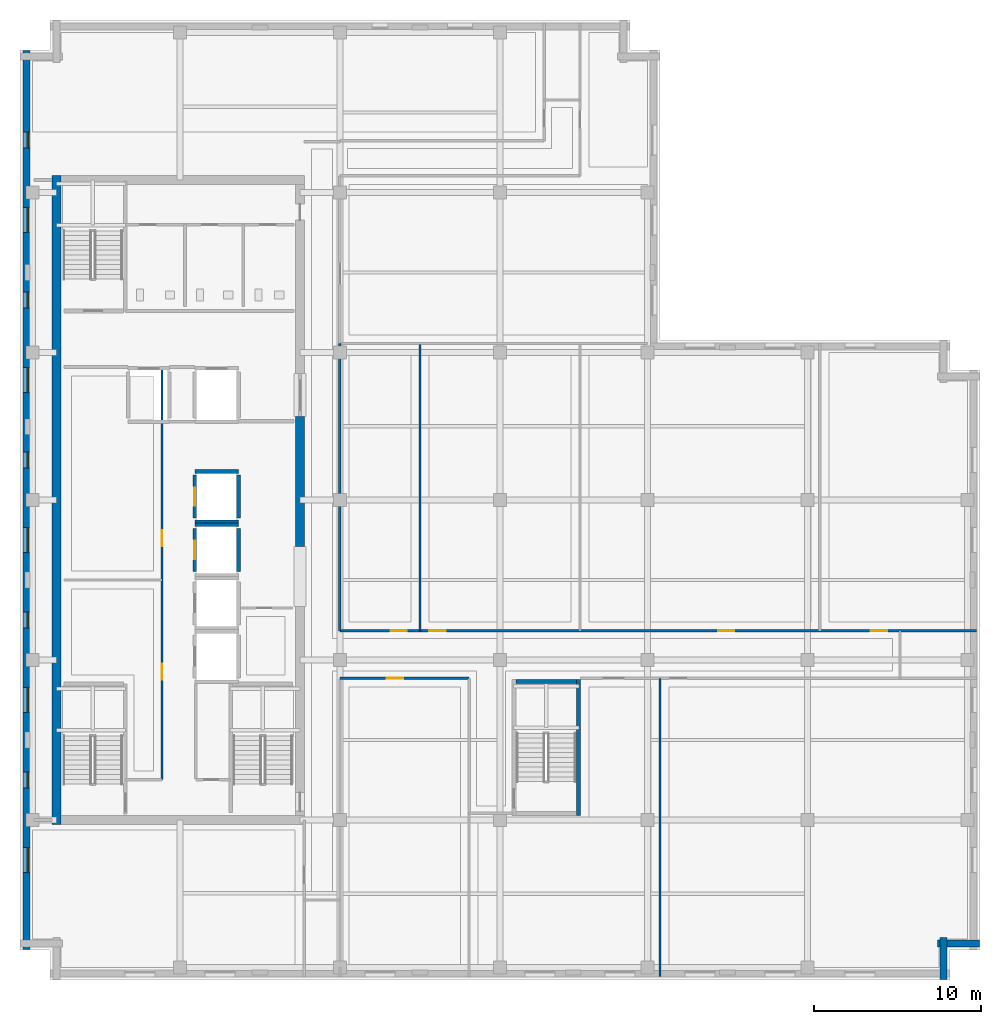
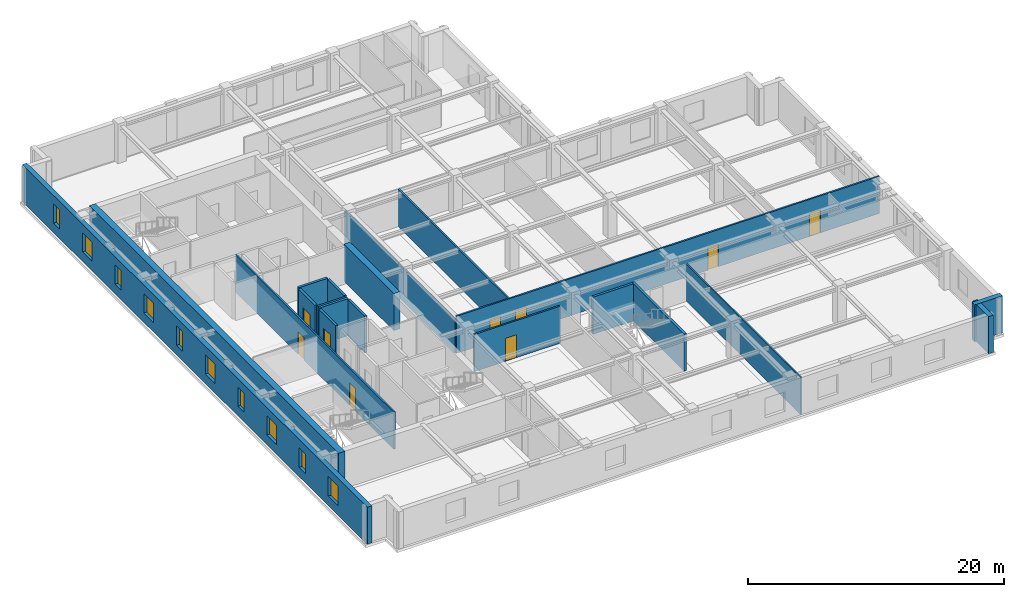
# One storey, part 4 of 10: 20 walls, 10 windows, 9 doors, 19 openings.
"""IFC4 building model written with IfcOpenShell, lengths in metres."""

import ifcopenshell
import ifcopenshell.guid

model = None  # the IFC model being written
_history = None  # IfcOwnerHistory: only IFC2X3 demands one
_inside = {}  # id of a spatial element -> (the spatial element, [elements in it])
_under = {}  # id of a project, library or spatial element -> (it, [spatial elements below it])
_declared = {}  # id of a project -> (the project, [libraries it declares])
_typed = {}  # id of a type object -> (the type object, [elements of that type])
_made_of = {}  # id of a material, layer set ... -> (it, [elements and type objects made of it])


def new_model(schema):
    """Start an empty IFC model of exactly this schema.

    Asked for "IFC4X3", IfcOpenShell would pick the latest addendum, in which some entities
    have other attributes; the version numbers below select the first issue.
    IFC2X3 requires an IfcOwnerHistory on every rooted entity: one is made here for all.
    """
    global model, _history
    if schema == "IFC4X3":
        model = ifcopenshell.file(schema_version=(4, 3, 0, 0))
    else:
        model = ifcopenshell.file(schema=schema)
    _inside.clear()
    _under.clear()
    _declared.clear()
    _typed.clear()
    _made_of.clear()
    _history = None
    if model.schema == "IFC2X3":
        org = make("IfcOrganization", Name="unknown")
        user = make(
            "IfcPersonAndOrganization",
            ThePerson=make("IfcPerson", FamilyName="unknown"),
            TheOrganization=org,
        )
        app = make(
            "IfcApplication",
            ApplicationDeveloper=org,
            Version="unknown",
            ApplicationFullName="unknown",
            ApplicationIdentifier="unknown",
        )
        _history = make(
            "IfcOwnerHistory",
            OwningUser=user,
            OwningApplication=app,
            ChangeAction="ADDED",
            CreationDate=0,
        )
    return model


def make(cls, **values):
    """One entity of the class cls with the attributes given. An attribute that is None is left unset."""
    return model.create_entity(
        cls, **{name: value for name, value in values.items() if value is not None}
    )


def rooted(cls, **values):
    """An entity with a GlobalId (a new one), such as an element, a storey or a relation."""
    return make(cls, GlobalId=ifcopenshell.guid.new(), OwnerHistory=_history, **values)


def si_unit(unit_type, name, prefix=None):
    """IfcSIUnit, for example si_unit("LENGTHUNIT", "METRE", prefix="MILLI")."""
    return make("IfcSIUnit", UnitType=unit_type, Prefix=prefix, Name=name)


def assignment(units):
    """IfcUnitAssignment: the units of a project."""
    return None if units is None else make("IfcUnitAssignment", Units=units)


def point(xyz):
    """IfcCartesianPoint."""
    return None if xyz is None else make("IfcCartesianPoint", Coordinates=xyz)


def direction(xyz):
    """IfcDirection."""
    return None if xyz is None else make("IfcDirection", DirectionRatios=xyz)


def frame(location, z_axis=None, x_axis=None):
    """IfcAxis2Placement3D, a coordinate frame: its origin and axes. An axis left out is left unset."""
    return make(
        "IfcAxis2Placement3D",
        Location=point(location),
        Axis=direction(z_axis),
        RefDirection=direction(x_axis),
    )


def frame_2d(location, x_axis=None):
    """IfcAxis2Placement2D, a coordinate frame in the plane: its origin and x axis."""
    return make(
        "IfcAxis2Placement2D", Location=point(location), RefDirection=direction(x_axis)
    )


def origin():
    """The frame at (0, 0, 0) with its axes left unset."""
    return frame((0.0, 0.0, 0.0))


def place(relative_to, where):
    """IfcLocalPlacement: puts the frame where relative to a parent placement (None: the world)."""
    return make(
        "IfcLocalPlacement", PlacementRelTo=relative_to, RelativePlacement=where
    )


def context(
    kind, dimensions, precision=None, world=None, true_north=None, identifier=None
):
    """IfcGeometricRepresentationContext, for example the 3D "Model" context."""
    return make(
        "IfcGeometricRepresentationContext",
        ContextIdentifier=identifier,
        ContextType=kind,
        CoordinateSpaceDimension=dimensions,
        Precision=precision,
        WorldCoordinateSystem=world,
        TrueNorth=true_north,
    )


def subcontext(parent, identifier, kind, view, scale=None):
    """IfcGeometricRepresentationSubContext, for example "Body" below "Model"."""
    return make(
        "IfcGeometricRepresentationSubContext",
        ContextIdentifier=identifier,
        ContextType=kind,
        ParentContext=parent,
        TargetScale=scale,
        TargetView=view,
    )


def project(units=None, contexts=None):
    """IfcProject with its units and contexts."""
    return rooted(
        "IfcProject",
        Name="project",
        RepresentationContexts=contexts,
        UnitsInContext=assignment(units),
    )


def spatial(cls, under=None, at=None, **own):
    """A site, building, storey or space (cls), placed at a placement, below another one or the project."""
    s = rooted(cls, ObjectPlacement=at, **own)
    if under is not None:
        _under.setdefault(under.id(), (under, []))[1].append(s)
    return s


def profile(cls, at=None, kind="AREA", **sizes):
    """A parametric profile (cls). Its sizes go by their IFC names, for example OverallWidth=200.0."""
    return make(cls, ProfileType=kind, Position=at, **sizes)


def rectangle(**sizes):
    """IfcRectangleProfileDef."""
    return profile("IfcRectangleProfileDef", **sizes)


def extrude(swept, where, along, depth):
    """IfcExtrudedAreaSolid: the profile swept, set in the frame where, extruded along a direction by depth."""
    return make(
        "IfcExtrudedAreaSolid",
        SweptArea=swept,
        Position=where,
        ExtrudedDirection=direction(along),
        Depth=depth,
    )


def shape(context_of_items, identifier, shape_type, items):
    """IfcShapeRepresentation: the items that make up one representation, for example the "Body"."""
    return make(
        "IfcShapeRepresentation",
        ContextOfItems=context_of_items,
        RepresentationIdentifier=identifier,
        RepresentationType=shape_type,
        Items=items,
    )


def material(Name=None, Category=None):
    """IfcMaterial."""
    return make("IfcMaterial", Name=Name, Category=Category)


def layer(
    of_material, thickness, ventilated=None, Name=None, Category=None, Priority=None
):
    """IfcMaterialLayer: one layer of a wall or slab, of a material (None: an air gap)."""
    return make(
        "IfcMaterialLayer",
        Material=of_material,
        LayerThickness=thickness,
        IsVentilated=ventilated,
        Name=Name,
        Category=Category,
        Priority=Priority,
    )


def layer_set(layers, Name=None):
    """IfcMaterialLayerSet."""
    return make("IfcMaterialLayerSet", MaterialLayers=layers, LayerSetName=Name)


def made_of(thing, what):
    """Note that an element or type object is made of a material, layer set ...; save() writes the relation."""
    if what is not None:
        _made_of.setdefault(what.id(), (what, []))[1].append(thing)
    return thing


def type_object(cls, material=None, **own):
    """A type object (cls), such as IfcWallType, which elements share."""
    return made_of(rooted(cls, **own), material)


def element(
    cls,
    number,
    at=None,
    inside=None,
    cuts=None,
    type_object=None,
    material=None,
    context=None,
    identifier="Body",
    shape_type=None,
    held_by="IfcProductDefinitionShape",
    body=None,
    shapes=None,
    **own,
):
    """One element of the class cls, such as IfcWall. Its Tag is "e" and its number.

    at: its placement. inside: the storey or other place that contains it. cuts: it is an
    opening in that element (IfcRelVoidsElement). A single representation is given by context,
    identifier, shape_type and body (its items); several are given by shapes. held_by: the class
    of the entity that holds the representations. save() writes the other relations.
    """
    e = rooted(cls, Tag="e%d" % number, ObjectPlacement=at, **own)
    if body is not None:
        shapes = [shape(context, identifier, shape_type, body)]
    if shapes is not None:
        e.Representation = make(held_by, Representations=shapes)
    if inside is not None:
        _inside.setdefault(inside.id(), (inside, []))[1].append(e)
    if cuts is not None:
        rooted(
            "IfcRelVoidsElement", RelatingBuildingElement=cuts, RelatedOpeningElement=e
        )
    if type_object is not None:
        _typed.setdefault(type_object.id(), (type_object, []))[1].append(e)
    return made_of(e, material)


def fill(opening, filler):
    """IfcRelFillsElement: the door or window that sits in an opening."""
    return rooted(
        "IfcRelFillsElement",
        RelatingOpeningElement=opening,
        RelatedBuildingElement=filler,
    )


def aggregate(whole, parts):
    """IfcRelAggregates: a whole, such as a stair, and the parts it consists of."""
    return rooted("IfcRelAggregates", RelatingObject=whole, RelatedObjects=parts)


def save(model, path):
    """Write the relations noted so far, then the file.

    IfcRelAggregates (storeys below a building ...), IfcRelContainedInSpatialStructure (elements
    in a storey), IfcRelDefinesByType, IfcRelAssociatesMaterial and IfcRelDeclares: one each for
    every whole, place, type object, material and project.
    """
    for whole, parts in _under.values():
        aggregate(whole, parts)
    for where, things in _inside.values():
        rooted(
            "IfcRelContainedInSpatialStructure",
            RelatedElements=things,
            RelatingStructure=where,
        )
    for kind, things in _typed.values():
        rooted("IfcRelDefinesByType", RelatedObjects=things, RelatingType=kind)
    for what, things in _made_of.values():
        rooted("IfcRelAssociatesMaterial", RelatedObjects=things, RelatingMaterial=what)
    for by, libraries in _declared.values():
        rooted("IfcRelDeclares", RelatingContext=by, RelatedDefinitions=libraries)
    model.write(path)


model = new_model("IFC4")

# Units and contexts
model_context = context("Model", 3, precision=1e-05, world=origin(), true_north=direction((0.0, 1.0)))
body_context = subcontext(model_context, "Body", "Model", "MODEL_VIEW")
ifc_project = project(units=[si_unit("LENGTHUNIT", "METRE"), si_unit("AREAUNIT", "SQUARE_METRE"), si_unit("VOLUMEUNIT", "CUBIC_METRE"), si_unit("PLANEANGLEUNIT", "RADIAN"), si_unit("MASSUNIT", "GRAM", prefix="KILO")], contexts=[model_context])

# Site, building, storey
site_placement = place(None, origin())
site = spatial("IfcSite", under=ifc_project, at=site_placement, CompositionType="ELEMENT")
building_placement = place(site_placement, origin())
building = spatial("IfcBuilding", under=site, at=building_placement, Name="Norrvale University Quadrangle", CompositionType="ELEMENT")
storey_placement = place(building_placement, frame((0.0, 0.0, 229.39990234375)))
storey = spatial("IfcBuildingStorey", under=building, at=storey_placement, Name="L58", CompositionType="ELEMENT", Elevation=229.39990234375)

# Walls
ifc_material_1 = material(Name="Buff Norman Clay Brick Masonry", Category="masonry")
ifc_layer_1 = layer(ifc_material_1, 0.419921875, Name="Buff Norman Clay Brick Masonry")
ifc_layer_set_1 = layer_set([ifc_layer_1], Name="Buff Norman Clay Brick Masonry")
wall_type_1 = type_object("IfcWallType", Name="Wall Buff Brick 420", PredefinedType="SOLIDWALL", material=ifc_layer_set_1)
for number, where, z_axis, x_axis, name in (
    (1, (55.409912109375, 0.0400390625, 0.0), (0.0, 0.0, 1.0), (0.0, 1.0, 0.0), "Exterior Brick Facade Wall L58-02.1"),
    (2, (55.06005859375, 2.18994140625, 0.0), (0.0, 0.0, 1.0), (1.0, 0.0, 0.0), "Exterior Brick Facade Wall L58-03.1"),
):
    element("IfcWall", number, at=place(storey_placement, frame(where, z_axis=z_axis, x_axis=x_axis)), inside=storey, type_object=wall_type_1, Name=name, PredefinedType="SOLIDWALL", context=body_context, shape_type="SweptSolid", body=[
        extrude(rectangle(XDim=2.5, YDim=0.419921875, at=frame_2d((1.25, 0.0))), origin(), (0.0, 0.0, 1.0), 3.5400390625),
    ])

# Wall, openings, windows
wall_1_placement = place(storey_placement, frame((0.389892578125, 55.760009765625, 0.0), z_axis=(0.0, 0.0, 1.0), x_axis=(0.0, -1.0, 0.0)))
wall_1 = element("IfcWall", 3, at=wall_1_placement, inside=storey, type_object=wall_type_1, Name="Exterior Brick Facade Wall L58-14.1", PredefinedType="SOLIDWALL", context=body_context, shape_type="SweptSolid", body=[
    extrude(rectangle(XDim=53.919921875, YDim=0.419921875, at=frame_2d((26.9599609375, 0.0))), origin(), (0.0, 0.0, 1.0), 3.5400390625),
])
opening_1_placement = place(wall_1_placement, frame((4.885009765625, 0.0, 0.89990234375)))
opening_1 = element("IfcOpeningElement", 4, at=opening_1_placement, cuts=wall_1, Name="Opening W04", PredefinedType="OPENING", context=body_context, shape_type="SweptSolid", body=[
    extrude(rectangle(XDim=0.949951171875, YDim=1.85009765625, at=frame_2d((0.47509765625, 0.925048828125))), frame((0.0, 0.221923828125, 0.0), z_axis=(0.0, -1.0, 0.0), x_axis=(1.0, 0.0, 0.0)), (0.0, 0.0, 1.0), 0.44384765625),
])
opening_2_placement = place(wall_1_placement, frame((9.409912109375, 0.0, 0.89990234375)))
opening_2 = element("IfcOpeningElement", 5, at=opening_2_placement, cuts=wall_1, Name="Opening W03", PredefinedType="OPENING", context=body_context, shape_type="SweptSolid", body=[
    extrude(rectangle(XDim=1.5, YDim=1.85009765625, at=frame_2d((0.75, 0.925048828125))), frame((0.0, 0.221923828125, 0.0), z_axis=(0.0, -1.0, 0.0), x_axis=(1.0, 0.0, 0.0)), (0.0, 0.0, 1.0), 0.44384765625),
])
opening_3_placement = place(wall_1_placement, frame((14.485107421875, 0.0, 0.89990234375)))
opening_3 = element("IfcOpeningElement", 6, at=opening_3_placement, cuts=wall_1, Name="Opening W04", PredefinedType="OPENING", context=body_context, shape_type="SweptSolid", body=[
    extrude(rectangle(XDim=0.949951171875, YDim=1.85009765625, at=frame_2d((0.47509765625, 0.925048828125))), frame((0.0, 0.221923828125, 0.0), z_axis=(0.0, -1.0, 0.0), x_axis=(1.0, 0.0, 0.0)), (0.0, 0.0, 1.0), 0.44384765625),
])
opening_4_placement = place(wall_1_placement, frame((19.010009765625, 0.0, 0.89990234375)))
opening_4 = element("IfcOpeningElement", 7, at=opening_4_placement, cuts=wall_1, Name="Opening W03", PredefinedType="OPENING", context=body_context, shape_type="SweptSolid", body=[
    extrude(rectangle(XDim=1.5, YDim=1.85009765625, at=frame_2d((0.75, 0.925048828125))), frame((0.0, 0.221923828125, 0.0), z_axis=(0.0, -1.0, 0.0), x_axis=(1.0, 0.0, 0.0)), (0.0, 0.0, 1.0), 0.44384765625),
])
opening_5_placement = place(wall_1_placement, frame((24.0849609375, 0.0, 0.89990234375)))
opening_5 = element("IfcOpeningElement", 8, at=opening_5_placement, cuts=wall_1, Name="Opening W04", PredefinedType="OPENING", context=body_context, shape_type="SweptSolid", body=[
    extrude(rectangle(XDim=0.949951171875, YDim=1.85009765625, at=frame_2d((0.47509765625, 0.925048828125))), frame((0.0, 0.221923828125, 0.0), z_axis=(0.0, -1.0, 0.0), x_axis=(1.0, 0.0, 0.0)), (0.0, 0.0, 1.0), 0.44384765625),
])
opening_6_placement = place(wall_1_placement, frame((28.610107421875, 0.0, 0.89990234375)))
opening_6 = element("IfcOpeningElement", 9, at=opening_6_placement, cuts=wall_1, Name="Opening W03", PredefinedType="OPENING", context=body_context, shape_type="SweptSolid", body=[
    extrude(rectangle(XDim=1.5, YDim=1.85009765625, at=frame_2d((0.75, 0.925048828125))), frame((0.0, 0.221923828125, 0.0), z_axis=(0.0, -1.0, 0.0), x_axis=(1.0, 0.0, 0.0)), (0.0, 0.0, 1.0), 0.44384765625),
])
opening_7_placement = place(wall_1_placement, frame((33.68505859375, 0.0, 0.89990234375)))
opening_7 = element("IfcOpeningElement", 10, at=opening_7_placement, cuts=wall_1, Name="Opening W04", PredefinedType="OPENING", context=body_context, shape_type="SweptSolid", body=[
    extrude(rectangle(XDim=0.949951171875, YDim=1.85009765625, at=frame_2d((0.47509765625, 0.925048828125))), frame((0.0, 0.221923828125, 0.0), z_axis=(0.0, -1.0, 0.0), x_axis=(1.0, 0.0, 0.0)), (0.0, 0.0, 1.0), 0.44384765625),
])
opening_8_placement = place(wall_1_placement, frame((38.2099609375, 0.0, 0.89990234375)))
opening_8 = element("IfcOpeningElement", 11, at=opening_8_placement, cuts=wall_1, Name="Opening W03", PredefinedType="OPENING", context=body_context, shape_type="SweptSolid", body=[
    extrude(rectangle(XDim=1.5, YDim=1.85009765625, at=frame_2d((0.75, 0.925048828125))), frame((0.0, 0.221923828125, 0.0), z_axis=(0.0, -1.0, 0.0), x_axis=(1.0, 0.0, 0.0)), (0.0, 0.0, 1.0), 0.44384765625),
])
opening_9_placement = place(wall_1_placement, frame((43.284912109375, 0.0, 0.89990234375)))
opening_9 = element("IfcOpeningElement", 12, at=opening_9_placement, cuts=wall_1, Name="Opening W04", PredefinedType="OPENING", context=body_context, shape_type="SweptSolid", body=[
    extrude(rectangle(XDim=0.949951171875, YDim=1.85009765625, at=frame_2d((0.47509765625, 0.925048828125))), frame((0.0, 0.221923828125, 0.0), z_axis=(0.0, -1.0, 0.0), x_axis=(1.0, 0.0, 0.0)), (0.0, 0.0, 1.0), 0.44384765625),
])
opening_10_placement = place(wall_1_placement, frame((47.81005859375, 0.0, 0.89990234375)))
opening_10 = element("IfcOpeningElement", 13, at=opening_10_placement, cuts=wall_1, Name="Opening W03", PredefinedType="OPENING", context=body_context, shape_type="SweptSolid", body=[
    extrude(rectangle(XDim=1.5, YDim=1.85009765625, at=frame_2d((0.75, 0.925048828125))), frame((0.0, 0.221923828125, 0.0), z_axis=(0.0, -1.0, 0.0), x_axis=(1.0, 0.0, 0.0)), (0.0, 0.0, 1.0), 0.44384765625),
])
ifc_material_2 = material(Name="Triple Low-E Argon Glazing", Category="glass")
window_type_1 = type_object("IfcWindowType", Name="Window Narrow Pier 950x2300", PartitioningType="SINGLE_PANEL", PredefinedType="WINDOW", material=ifc_material_2)
window_1_placement = place(opening_1_placement, origin())
window_1 = element("IfcWindow", 14, at=window_1_placement, inside=storey, type_object=window_type_1, Name="Window Narrow Pier 950x2300 WIN-L58-E14-1-01", OverallHeight=1.85009765625, OverallWidth=0.949951171875, PartitioningType="SINGLE_PANEL", PredefinedType="WINDOW", context=body_context, shape_type="SweptSolid", body=[
    extrude(rectangle(XDim=0.949951171875, YDim=1.85009765625, at=frame_2d((0.47509765625, 0.925048828125))), frame((0.0, 0.110107421875, 0.0), z_axis=(0.0, -1.0, 0.0), x_axis=(1.0, 0.0, 0.0)), (0.0, 0.0, 1.0), 0.06005859375),
])
fill(opening_1, window_1)
window_2_placement = place(opening_3_placement, origin())
window_2 = element("IfcWindow", 15, at=window_2_placement, inside=storey, type_object=window_type_1, Name="Window Narrow Pier 950x2300 WIN-L58-E14-1-03", OverallHeight=1.85009765625, OverallWidth=0.949951171875, PartitioningType="SINGLE_PANEL", PredefinedType="WINDOW", context=body_context, shape_type="SweptSolid", body=[
    extrude(rectangle(XDim=0.949951171875, YDim=1.85009765625, at=frame_2d((0.47509765625, 0.925048828125))), frame((0.0, 0.110107421875, 0.0), z_axis=(0.0, -1.0, 0.0), x_axis=(1.0, 0.0, 0.0)), (0.0, 0.0, 1.0), 0.06005859375),
])
fill(opening_3, window_2)
window_3_placement = place(opening_5_placement, origin())
window_3 = element("IfcWindow", 16, at=window_3_placement, inside=storey, type_object=window_type_1, Name="Window Narrow Pier 950x2300 WIN-L58-E14-1-05", OverallHeight=1.85009765625, OverallWidth=0.949951171875, PartitioningType="SINGLE_PANEL", PredefinedType="WINDOW", context=body_context, shape_type="SweptSolid", body=[
    extrude(rectangle(XDim=0.949951171875, YDim=1.85009765625, at=frame_2d((0.47509765625, 0.925048828125))), frame((0.0, 0.110107421875, 0.0), z_axis=(0.0, -1.0, 0.0), x_axis=(1.0, 0.0, 0.0)), (0.0, 0.0, 1.0), 0.06005859375),
])
fill(opening_5, window_3)
window_4_placement = place(opening_7_placement, origin())
window_4 = element("IfcWindow", 17, at=window_4_placement, inside=storey, type_object=window_type_1, Name="Window Narrow Pier 950x2300 WIN-L58-E14-1-07", OverallHeight=1.85009765625, OverallWidth=0.949951171875, PartitioningType="SINGLE_PANEL", PredefinedType="WINDOW", context=body_context, shape_type="SweptSolid", body=[
    extrude(rectangle(XDim=0.949951171875, YDim=1.85009765625, at=frame_2d((0.47509765625, 0.925048828125))), frame((0.0, 0.110107421875, 0.0), z_axis=(0.0, -1.0, 0.0), x_axis=(1.0, 0.0, 0.0)), (0.0, 0.0, 1.0), 0.06005859375),
])
fill(opening_7, window_4)
window_5_placement = place(opening_9_placement, origin())
window_5 = element("IfcWindow", 18, at=window_5_placement, inside=storey, type_object=window_type_1, Name="Window Narrow Pier 950x2300 WIN-L58-E14-1-09", OverallHeight=1.85009765625, OverallWidth=0.949951171875, PartitioningType="SINGLE_PANEL", PredefinedType="WINDOW", context=body_context, shape_type="SweptSolid", body=[
    extrude(rectangle(XDim=0.949951171875, YDim=1.85009765625, at=frame_2d((0.47509765625, 0.925048828125))), frame((0.0, 0.110107421875, 0.0), z_axis=(0.0, -1.0, 0.0), x_axis=(1.0, 0.0, 0.0)), (0.0, 0.0, 1.0), 0.06005859375),
])
fill(opening_9, window_5)
window_type_2 = type_object("IfcWindowType", Name="Window Studio 1500x2300", PartitioningType="DOUBLE_PANEL_VERTICAL", PredefinedType="WINDOW", material=ifc_material_2)
window_6_placement = place(opening_2_placement, origin())
window_6 = element("IfcWindow", 19, at=window_6_placement, inside=storey, type_object=window_type_2, Name="Window Studio 1500x2300 WIN-L58-E14-1-02", OverallHeight=1.85009765625, OverallWidth=1.5, PartitioningType="DOUBLE_PANEL_VERTICAL", PredefinedType="WINDOW", context=body_context, shape_type="SweptSolid", body=[
    extrude(rectangle(XDim=1.5, YDim=1.85009765625, at=frame_2d((0.75, 0.925048828125))), frame((0.0, 0.110107421875, 0.0), z_axis=(0.0, -1.0, 0.0), x_axis=(1.0, 0.0, 0.0)), (0.0, 0.0, 1.0), 0.06005859375),
])
fill(opening_2, window_6)
window_7_placement = place(opening_4_placement, origin())
window_7 = element("IfcWindow", 20, at=window_7_placement, inside=storey, type_object=window_type_2, Name="Window Studio 1500x2300 WIN-L58-E14-1-04", OverallHeight=1.85009765625, OverallWidth=1.5, PartitioningType="DOUBLE_PANEL_VERTICAL", PredefinedType="WINDOW", context=body_context, shape_type="SweptSolid", body=[
    extrude(rectangle(XDim=1.5, YDim=1.85009765625, at=frame_2d((0.75, 0.925048828125))), frame((0.0, 0.110107421875, 0.0), z_axis=(0.0, -1.0, 0.0), x_axis=(1.0, 0.0, 0.0)), (0.0, 0.0, 1.0), 0.06005859375),
])
fill(opening_4, window_7)
window_8_placement = place(opening_6_placement, origin())
window_8 = element("IfcWindow", 21, at=window_8_placement, inside=storey, type_object=window_type_2, Name="Window Studio 1500x2300 WIN-L58-E14-1-06", OverallHeight=1.85009765625, OverallWidth=1.5, PartitioningType="DOUBLE_PANEL_VERTICAL", PredefinedType="WINDOW", context=body_context, shape_type="SweptSolid", body=[
    extrude(rectangle(XDim=1.5, YDim=1.85009765625, at=frame_2d((0.75, 0.925048828125))), frame((0.0, 0.110107421875, 0.0), z_axis=(0.0, -1.0, 0.0), x_axis=(1.0, 0.0, 0.0)), (0.0, 0.0, 1.0), 0.06005859375),
])
fill(opening_6, window_8)
window_9_placement = place(opening_8_placement, origin())
window_9 = element("IfcWindow", 22, at=window_9_placement, inside=storey, type_object=window_type_2, Name="Window Studio 1500x2300 WIN-L58-E14-1-08", OverallHeight=1.85009765625, OverallWidth=1.5, PartitioningType="DOUBLE_PANEL_VERTICAL", PredefinedType="WINDOW", context=body_context, shape_type="SweptSolid", body=[
    extrude(rectangle(XDim=1.5, YDim=1.85009765625, at=frame_2d((0.75, 0.925048828125))), frame((0.0, 0.110107421875, 0.0), z_axis=(0.0, -1.0, 0.0), x_axis=(1.0, 0.0, 0.0)), (0.0, 0.0, 1.0), 0.06005859375),
])
fill(opening_8, window_9)
window_10_placement = place(opening_10_placement, origin())
window_10 = element("IfcWindow", 23, at=window_10_placement, inside=storey, type_object=window_type_2, Name="Window Studio 1500x2300 WIN-L58-E14-1-10", OverallHeight=1.85009765625, OverallWidth=1.5, PartitioningType="DOUBLE_PANEL_VERTICAL", PredefinedType="WINDOW", context=body_context, shape_type="SweptSolid", body=[
    extrude(rectangle(XDim=1.5, YDim=1.85009765625, at=frame_2d((0.75, 0.925048828125))), frame((0.0, 0.110107421875, 0.0), z_axis=(0.0, -1.0, 0.0), x_axis=(1.0, 0.0, 0.0)), (0.0, 0.0, 1.0), 0.06005859375),
])
fill(opening_10, window_10)

# Walls
ifc_material_3 = material(Name="Concrete C60/75", Category="concrete")
ifc_layer_2 = layer(ifc_material_3, 0.550048828125, Name="Concrete C60/75")
ifc_layer_set_2 = layer_set([ifc_layer_2], Name="Concrete C60/75")
wall_type_2 = type_object("IfcWallType", Name="Wall Core 550", PredefinedType="SHEAR", material=ifc_layer_set_2)
wall_2_placement = place(storey_placement, frame((2.199951171875, 9.324951171875, 0.0), z_axis=(0.0, 0.0, 1.0), x_axis=(0.0, 1.0, 0.0)))
element("IfcWall", 24, at=wall_2_placement, inside=storey, type_object=wall_type_2, Name="Tower Core Shear Wall L58-W", PredefinedType="SHEAR", context=body_context, shape_type="SweptSolid", body=[
    extrude(rectangle(XDim=38.949951171875, YDim=0.550048828125, at=frame_2d((19.47509765625, 0.0))), origin(), (0.0, 0.0, 1.0), 3.5400390625),
])
wall_3_placement = place(storey_placement, frame((16.800048828125, 26.0, 0.0), z_axis=(0.0, 0.0, 1.0), x_axis=(0.0, 1.0, 0.0)))
element("IfcWall", 25, at=wall_3_placement, inside=storey, type_object=wall_type_2, Name="Tower Core Shear Wall L58-E2", PredefinedType="SHEAR", context=body_context, shape_type="SweptSolid", body=[
    extrude(rectangle(XDim=7.800048828125, YDim=0.550048828125, at=frame_2d((3.89990234375, 0.0))), origin(), (0.0, 0.0, 1.0), 3.5400390625),
])
ifc_material_4 = material(Name="Standard Academic Gypsum Partition")
ifc_layer_3 = layer(ifc_material_4, 0.125, Name="Standard Academic Gypsum Partition")
ifc_layer_set_3 = layer_set([ifc_layer_3], Name="Standard Academic Gypsum Partition")
wall_type_3 = type_object("IfcWallType", Name="Wall Gypsum Academic 125", PredefinedType="PARTITIONING", material=ifc_layer_set_3)
wall_4_placement = place(storey_placement, frame((38.39990234375, 0.219970703125, 0.0), z_axis=(0.0, 0.0, 1.0), x_axis=(0.0, 1.0, 0.0)))
element("IfcWall", 26, at=wall_4_placement, inside=storey, type_object=wall_type_3, Name="Interior Partition WL-L58-SEP2", PredefinedType="PARTITIONING", context=body_context, shape_type="SweptSolid", body=[
    extrude(rectangle(XDim=17.880126953125, YDim=0.125, at=frame_2d((8.93994140625, 0.0))), origin(), (0.0, 0.0, 1.0), 3.5400390625),
])

# Wall, openings, doors
ifc_material_5 = material(Name="Fire-Rated Gypsum Stud Partition")
ifc_layer_4 = layer(ifc_material_5, 0.14990234375, Name="Fire-Rated Gypsum Stud Partition")
ifc_layer_set_4 = layer_set([ifc_layer_4], Name="Fire-Rated Gypsum Stud Partition")
wall_type_4 = type_object("IfcWallType", Name="Wall Gypsum Corridor 150", PredefinedType="PARTITIONING", material=ifc_layer_set_4)
wall_5_placement = place(storey_placement, frame((8.52001953125, 12.02001953125, 0.0), z_axis=(0.0, 0.0, 1.0), x_axis=(0.0, 1.0, 0.0)))
wall_5 = element("IfcWall", 27, at=wall_5_placement, inside=storey, type_object=wall_type_4, Name="Interior Partition WL-L58-REC-E", PredefinedType="PARTITIONING", context=body_context, shape_type="SweptSolid", body=[
    extrude(rectangle(XDim=24.760009765625, YDim=0.14990234375, at=frame_2d((12.3798828125, 0.0))), origin(), (0.0, 0.0, 1.0), 3.5400390625),
])
opening_11_placement = place(wall_5_placement, frame((6.0, 0.0, 0.0)))
opening_11 = element("IfcOpeningElement", 28, at=opening_11_placement, cuts=wall_5, Name="Opening D07", PredefinedType="OPENING", context=body_context, shape_type="SweptSolid", body=[
    extrude(rectangle(XDim=0.949951171875, YDim=2.14990234375, at=frame_2d((0.47509765625, 1.074951171875))), frame((0.0, 0.0869140625, 0.0), z_axis=(0.0, -1.0, 0.0), x_axis=(1.0, 0.0, 0.0)), (0.0, 0.0, 1.0), 0.173828125),
])
opening_12_placement = place(wall_5_placement, frame((14.0, 0.0, 0.0)))
opening_12 = element("IfcOpeningElement", 29, at=opening_12_placement, cuts=wall_5, Name="Opening D07", PredefinedType="OPENING", context=body_context, shape_type="SweptSolid", body=[
    extrude(rectangle(XDim=0.949951171875, YDim=2.14990234375, at=frame_2d((0.47509765625, 1.074951171875))), frame((0.0, 0.0869140625, 0.0), z_axis=(0.0, -1.0, 0.0), x_axis=(1.0, 0.0, 0.0)), (0.0, 0.0, 1.0), 0.173828125),
])
ifc_material_6 = material(Name="Solid-Core Maple Door", Category="wood")
door_type_1 = type_object("IfcDoorType", Name="Door Office 950x2150", OperationType="NOTDEFINED", PredefinedType="DOOR", material=ifc_material_6)
door_1_placement = place(opening_11_placement, origin())
door_1 = element("IfcDoor", 30, at=door_1_placement, inside=storey, type_object=door_type_1, Name="Door Office 950x2150 DR-L58-REC1", OperationType="SINGLE_SWING_LEFT", OverallHeight=2.14990234375, OverallWidth=0.949951171875, PredefinedType="DOOR", context=body_context, shape_type="SweptSolid", body=[
    extrude(rectangle(XDim=0.949951171875, YDim=2.14990234375, at=frame_2d((0.47509765625, 1.074951171875))), frame((0.0, 0.02490234375, 0.0), z_axis=(0.0, -1.0, 0.0), x_axis=(1.0, 0.0, 0.0)), (0.0, 0.0, 1.0), 0.050048828125),
])
fill(opening_11, door_1)
door_2_placement = place(opening_12_placement, origin())
door_2 = element("IfcDoor", 31, at=door_2_placement, inside=storey, type_object=door_type_1, Name="Door Office 950x2150 DR-L58-REC2", OperationType="SINGLE_SWING_RIGHT", OverallHeight=2.14990234375, OverallWidth=0.949951171875, PredefinedType="DOOR", context=body_context, shape_type="SweptSolid", body=[
    extrude(rectangle(XDim=0.949951171875, YDim=2.14990234375, at=frame_2d((0.47509765625, 1.074951171875))), frame((0.0, 0.02490234375, 0.0), z_axis=(0.0, -1.0, 0.0), x_axis=(1.0, 0.0, 0.0)), (0.0, 0.0, 1.0), 0.050048828125),
])
fill(opening_12, door_2)

# Wall, opening, door
wall_6_placement = place(storey_placement, frame((19.199951171875, 18.10009765625, 0.0), z_axis=(0.0, 0.0, 1.0), x_axis=(1.0, 0.0, 0.0)))
wall_6 = element("IfcWall", 32, at=wall_6_placement, inside=storey, type_object=wall_type_4, Name="Interior Partition WL-L58-SEW1", PredefinedType="PARTITIONING", context=body_context, shape_type="SweptSolid", body=[
    extrude(rectangle(XDim=7.75, YDim=0.14990234375, at=frame_2d((3.875, 0.0))), origin(), (0.0, 0.0, 1.0), 3.5400390625),
])
opening_13_placement = place(wall_6_placement, frame((2.800048828125, 0.0, 0.0)))
opening_13 = element("IfcOpeningElement", 33, at=opening_13_placement, cuts=wall_6, Name="Opening D04", PredefinedType="OPENING", context=body_context, shape_type="SweptSolid", body=[
    extrude(rectangle(XDim=1.0, YDim=2.199951171875, at=frame_2d((0.5, 1.10009765625))), frame((0.0, 0.0869140625, 0.0), z_axis=(0.0, -1.0, 0.0), x_axis=(1.0, 0.0, 0.0)), (0.0, 0.0, 1.0), 0.173828125),
])
ifc_material_7 = material(Name="Solid-Core Oak Fire Door", Category="wood")
door_type_2 = type_object("IfcDoorType", Name="Door Corridor 1000x2200", OperationType="NOTDEFINED", PredefinedType="DOOR", material=ifc_material_7)
door_3_placement = place(opening_13_placement, origin())
door_3 = element("IfcDoor", 34, at=door_3_placement, inside=storey, type_object=door_type_2, Name="Door Corridor 1000x2200 DR-L58-SE1", OperationType="SINGLE_SWING_LEFT", OverallHeight=2.199951171875, OverallWidth=1.0, PredefinedType="DOOR", context=body_context, shape_type="SweptSolid", body=[
    extrude(rectangle(XDim=1.0, YDim=2.199951171875, at=frame_2d((0.5, 1.10009765625))), frame((0.0, 0.02490234375, 0.0), z_axis=(0.0, -1.0, 0.0), x_axis=(1.0, 0.0, 0.0)), (0.0, 0.0, 1.0), 0.050048828125),
])
fill(opening_13, door_3)

# Wall
wall_7_placement = place(storey_placement, frame((24.0, 20.949951171875, 0.0), z_axis=(0.0, 0.0, 1.0), x_axis=(0.0, 1.0, 0.0)))
element("IfcWall", 35, at=wall_7_placement, inside=storey, type_object=wall_type_4, Name="Interior Partition WL-L58-MEP01", PredefinedType="PARTITIONING", context=body_context, shape_type="SweptSolid", body=[
    extrude(rectangle(XDim=17.22998046875, YDim=0.14990234375, at=frame_2d((8.614990234375, 0.0))), origin(), (0.0, 0.0, 1.0), 3.5400390625),
])

# Wall, openings, doors
wall_8_placement = place(storey_placement, frame((19.199951171875, 20.949951171875, 0.0), z_axis=(0.0, 0.0, 1.0), x_axis=(1.0, 0.0, 0.0)))
wall_8 = element("IfcWall", 36, at=wall_8_placement, inside=storey, type_object=wall_type_4, Name="Interior Partition WL-L58-MECW", PredefinedType="PARTITIONING", context=body_context, shape_type="SweptSolid", body=[
    extrude(rectangle(XDim=38.179931640625, YDim=0.14990234375, at=frame_2d((19.08984375, 0.0))), origin(), (0.0, 0.0, 1.0), 3.5400390625),
])
opening_14_placement = place(wall_8_placement, frame((3.050048828125, 0.0, 0.0)))
opening_14 = element("IfcOpeningElement", 37, at=opening_14_placement, cuts=wall_8, Name="Opening D07", PredefinedType="OPENING", context=body_context, shape_type="SweptSolid", body=[
    extrude(rectangle(XDim=0.949951171875, YDim=2.14990234375, at=frame_2d((0.47509765625, 1.074951171875))), frame((0.0, 0.0869140625, 0.0), z_axis=(0.0, -1.0, 0.0), x_axis=(1.0, 0.0, 0.0)), (0.0, 0.0, 1.0), 0.173828125),
])
opening_15_placement = place(wall_8_placement, frame((5.35009765625, 0.0, 0.0)))
opening_15 = element("IfcOpeningElement", 38, at=opening_15_placement, cuts=wall_8, Name="Opening D04", PredefinedType="OPENING", context=body_context, shape_type="SweptSolid", body=[
    extrude(rectangle(XDim=1.0, YDim=2.199951171875, at=frame_2d((0.5, 1.10009765625))), frame((0.0, 0.0869140625, 0.0), z_axis=(0.0, -1.0, 0.0), x_axis=(1.0, 0.0, 0.0)), (0.0, 0.0, 1.0), 0.173828125),
])
opening_16_placement = place(wall_8_placement, frame((22.699951171875, 0.0, 0.0)))
opening_16 = element("IfcOpeningElement", 39, at=opening_16_placement, cuts=wall_8, Name="Opening D07", PredefinedType="OPENING", context=body_context, shape_type="SweptSolid", body=[
    extrude(rectangle(XDim=0.949951171875, YDim=2.14990234375, at=frame_2d((0.47509765625, 1.074951171875))), frame((0.0, 0.0869140625, 0.0), z_axis=(0.0, -1.0, 0.0), x_axis=(1.0, 0.0, 0.0)), (0.0, 0.0, 1.0), 0.173828125),
])
opening_17_placement = place(wall_8_placement, frame((31.85009765625, 0.0, 0.0)))
opening_17 = element("IfcOpeningElement", 40, at=opening_17_placement, cuts=wall_8, Name="Opening D04", PredefinedType="OPENING", context=body_context, shape_type="SweptSolid", body=[
    extrude(rectangle(XDim=1.0, YDim=2.199951171875, at=frame_2d((0.5, 1.10009765625))), frame((0.0, 0.0869140625, 0.0), z_axis=(0.0, -1.0, 0.0), x_axis=(1.0, 0.0, 0.0)), (0.0, 0.0, 1.0), 0.173828125),
])
door_4_placement = place(opening_15_placement, origin())
door_4 = element("IfcDoor", 41, at=door_4_placement, inside=storey, type_object=door_type_2, Name="Door Corridor 1000x2200 DR-L58-ME02", OperationType="SINGLE_SWING_RIGHT", OverallHeight=2.199951171875, OverallWidth=1.0, PredefinedType="DOOR", context=body_context, shape_type="SweptSolid", body=[
    extrude(rectangle(XDim=1.0, YDim=2.199951171875, at=frame_2d((0.5, 1.10009765625))), frame((0.0, 0.02490234375, 0.0), z_axis=(0.0, -1.0, 0.0), x_axis=(1.0, 0.0, 0.0)), (0.0, 0.0, 1.0), 0.050048828125),
])
fill(opening_15, door_4)
door_5_placement = place(opening_17_placement, origin())
door_5 = element("IfcDoor", 42, at=door_5_placement, inside=storey, type_object=door_type_2, Name="Door Corridor 1000x2200 DR-L58-ME04", OperationType="SINGLE_SWING_RIGHT", OverallHeight=2.199951171875, OverallWidth=1.0, PredefinedType="DOOR", context=body_context, shape_type="SweptSolid", body=[
    extrude(rectangle(XDim=1.0, YDim=2.199951171875, at=frame_2d((0.5, 1.10009765625))), frame((0.0, 0.02490234375, 0.0), z_axis=(0.0, -1.0, 0.0), x_axis=(1.0, 0.0, 0.0)), (0.0, 0.0, 1.0), 0.050048828125),
])
fill(opening_17, door_5)
door_6_placement = place(opening_14_placement, origin())
door_6 = element("IfcDoor", 43, at=door_6_placement, inside=storey, type_object=door_type_1, Name="Door Office 950x2150 DR-L58-ME01", OperationType="SINGLE_SWING_LEFT", OverallHeight=2.14990234375, OverallWidth=0.949951171875, PredefinedType="DOOR", context=body_context, shape_type="SweptSolid", body=[
    extrude(rectangle(XDim=0.949951171875, YDim=2.14990234375, at=frame_2d((0.47509765625, 1.074951171875))), frame((0.0, 0.02490234375, 0.0), z_axis=(0.0, -1.0, 0.0), x_axis=(1.0, 0.0, 0.0)), (0.0, 0.0, 1.0), 0.050048828125),
])
fill(opening_14, door_6)
door_7_placement = place(opening_16_placement, origin())
door_7 = element("IfcDoor", 44, at=door_7_placement, inside=storey, type_object=door_type_1, Name="Door Office 950x2150 DR-L58-ME03", OperationType="SINGLE_SWING_LEFT", OverallHeight=2.14990234375, OverallWidth=0.949951171875, PredefinedType="DOOR", context=body_context, shape_type="SweptSolid", body=[
    extrude(rectangle(XDim=0.949951171875, YDim=2.14990234375, at=frame_2d((0.47509765625, 1.074951171875))), frame((0.0, 0.02490234375, 0.0), z_axis=(0.0, -1.0, 0.0), x_axis=(1.0, 0.0, 0.0)), (0.0, 0.0, 1.0), 0.050048828125),
])
fill(opening_16, door_7)

# Walls
wall_9_placement = place(storey_placement, frame((19.199951171875, 20.949951171875, 0.0), z_axis=(0.0, 0.0, 1.0), x_axis=(0.0, 1.0, 0.0)))
element("IfcWall", 45, at=wall_9_placement, inside=storey, type_object=wall_type_4, Name="Interior Partition WL-L58-ME-W", PredefinedType="PARTITIONING", context=body_context, shape_type="SweptSolid", body=[
    extrude(rectangle(XDim=17.22998046875, YDim=0.14990234375, at=frame_2d((8.614990234375, 0.0))), origin(), (0.0, 0.0, 1.0), 3.18408203125),
])
ifc_material_8 = material(Name="Concrete Blockwork 20 MPa Fire Shaft", Category="masonry")
ifc_layer_5 = layer(ifc_material_8, 0.219970703125, Name="Concrete Blockwork 20 MPa Fire Shaft")
ifc_layer_set_5 = layer_set([ifc_layer_5], Name="Concrete Blockwork 20 MPa Fire Shaft")
wall_type_5 = type_object("IfcWallType", Name="Wall Shaft 220", PredefinedType="SOLIDWALL", material=ifc_layer_set_5)
wall_10_placement = place(storey_placement, frame((33.510009765625, 9.8798828125, 0.0), z_axis=(0.0, 0.0, 1.0), x_axis=(0.0, 1.0, 0.0)))
element("IfcWall", 46, at=wall_10_placement, inside=storey, type_object=wall_type_5, Name="Stair ST-04 East Shaft Wall L58", PredefinedType="SOLIDWALL", context=body_context, shape_type="SweptSolid", body=[
    extrude(rectangle(XDim=8.14013671875, YDim=0.219970703125, at=frame_2d((4.070068359375, 0.0))), origin(), (0.0, 0.0, 1.0), 3.5400390625),
])
wall_11_placement = place(storey_placement, frame((29.75, 17.909912109375, 0.0), z_axis=(0.0, 0.0, 1.0), x_axis=(1.0, 0.0, 0.0)))
element("IfcWall", 47, at=wall_11_placement, inside=storey, type_object=wall_type_5, Name="Stair ST-04 North Shaft Wall L58", PredefinedType="SOLIDWALL", context=body_context, shape_type="SweptSolid", body=[
    extrude(rectangle(XDim=3.64990234375, YDim=0.219970703125, at=frame_2d((1.824951171875, 0.0))), origin(), (0.0, 0.0, 1.0), 3.5400390625),
])

# Wall, opening, door
wall_12_placement = place(storey_placement, frame((10.489990234375, 24.510009765625, 0.0), z_axis=(0.0, 0.0, 1.0), x_axis=(0.0, 1.0, 0.0)))
wall_12 = element("IfcWall", 48, at=wall_12_placement, inside=storey, type_object=wall_type_5, Name="Hoistway PL-07 West Wall L58", PredefinedType="SOLIDWALL", context=body_context, shape_type="SweptSolid", body=[
    extrude(rectangle(XDim=2.580078125, YDim=0.219970703125, at=frame_2d((1.2900390625, 0.0))), origin(), (0.0, 0.0, 1.0), 3.5400390625),
])
opening_18_placement = place(wall_12_placement, frame((0.739990234375, 0.0, 0.0)))
opening_18 = element("IfcOpeningElement", 49, at=opening_18_placement, cuts=wall_12, Name="Opening LD1", PredefinedType="OPENING", context=body_context, shape_type="SweptSolid", body=[
    extrude(rectangle(XDim=1.10009765625, YDim=2.199951171875, at=frame_2d((0.550048828125, 1.10009765625))), frame((0.0, 0.1220703125, 0.0), z_axis=(0.0, -1.0, 0.0), x_axis=(1.0, 0.0, 0.0)), (0.0, 0.0, 1.0), 0.243896484375),
])
ifc_material_9 = material(Name="Stainless Steel 316L Lift Landing Door", Category="steel")
door_type_3 = type_object("IfcDoorType", Name="Door Lift Landing 1100x2200", OperationType="DOUBLE_DOOR_SLIDING", PredefinedType="DOOR", material=ifc_material_9)
door_8_placement = place(opening_18_placement, origin())
door_8 = element("IfcDoor", 50, at=door_8_placement, inside=storey, type_object=door_type_3, Name="Elevator Landing Door DR-L58-PL-07", OperationType="DOUBLE_DOOR_SLIDING", OverallHeight=2.199951171875, OverallWidth=1.10009765625, PredefinedType="DOOR", context=body_context, shape_type="SweptSolid", body=[
    extrude(rectangle(XDim=1.10009765625, YDim=2.199951171875, at=frame_2d((0.550048828125, 1.10009765625))), frame((0.0, 0.02490234375, 0.0), z_axis=(0.0, -1.0, 0.0), x_axis=(1.0, 0.0, 0.0)), (0.0, 0.0, 1.0), 0.050048828125),
])
fill(opening_18, door_8)

# Walls
wall_13_placement = place(storey_placement, frame((13.110107421875, 24.510009765625, 0.0), z_axis=(0.0, 0.0, 1.0), x_axis=(0.0, 1.0, 0.0)))
element("IfcWall", 51, at=wall_13_placement, inside=storey, type_object=wall_type_5, Name="Hoistway PL-07 East Wall L58", PredefinedType="SOLIDWALL", context=body_context, shape_type="SweptSolid", body=[
    extrude(rectangle(XDim=2.580078125, YDim=0.219970703125, at=frame_2d((1.2900390625, 0.0))), origin(), (0.0, 0.0, 1.0), 3.5400390625),
])
wall_14_placement = place(storey_placement, frame((10.489990234375, 27.31005859375, 0.0), z_axis=(0.0, 0.0, 1.0), x_axis=(1.0, 0.0, 0.0)))
element("IfcWall", 52, at=wall_14_placement, inside=storey, type_object=wall_type_5, Name="Hoistway PL-07 North Wall L58", PredefinedType="SOLIDWALL", context=body_context, shape_type="SweptSolid", body=[
    extrude(rectangle(XDim=2.6201171875, YDim=0.219970703125, at=frame_2d((1.31005859375, 0.0))), origin(), (0.0, 0.0, 1.0), 3.5400390625),
])

# Wall, opening, door
wall_15_placement = place(storey_placement, frame((10.489990234375, 27.7099609375, 0.0), z_axis=(0.0, 0.0, 1.0), x_axis=(0.0, 1.0, 0.0)))
wall_15 = element("IfcWall", 53, at=wall_15_placement, inside=storey, type_object=wall_type_5, Name="Hoistway PL-08 West Wall L58", PredefinedType="SOLIDWALL", context=body_context, shape_type="SweptSolid", body=[
    extrude(rectangle(XDim=2.580078125, YDim=0.219970703125, at=frame_2d((1.2900390625, 0.0))), origin(), (0.0, 0.0, 1.0), 3.5400390625),
])
opening_19_placement = place(wall_15_placement, frame((0.739990234375, 0.0, 0.0)))
opening_19 = element("IfcOpeningElement", 54, at=opening_19_placement, cuts=wall_15, Name="Opening LD1", PredefinedType="OPENING", context=body_context, shape_type="SweptSolid", body=[
    extrude(rectangle(XDim=1.10009765625, YDim=2.199951171875, at=frame_2d((0.550048828125, 1.10009765625))), frame((0.0, 0.1220703125, 0.0), z_axis=(0.0, -1.0, 0.0), x_axis=(1.0, 0.0, 0.0)), (0.0, 0.0, 1.0), 0.243896484375),
])
door_9_placement = place(opening_19_placement, origin())
door_9 = element("IfcDoor", 55, at=door_9_placement, inside=storey, type_object=door_type_3, Name="Elevator Landing Door DR-L58-PL-08", OperationType="DOUBLE_DOOR_SLIDING", OverallHeight=2.199951171875, OverallWidth=1.10009765625, PredefinedType="DOOR", context=body_context, shape_type="SweptSolid", body=[
    extrude(rectangle(XDim=1.10009765625, YDim=2.199951171875, at=frame_2d((0.550048828125, 1.10009765625))), frame((0.0, 0.02490234375, 0.0), z_axis=(0.0, -1.0, 0.0), x_axis=(1.0, 0.0, 0.0)), (0.0, 0.0, 1.0), 0.050048828125),
])
fill(opening_19, door_9)

# Walls
wall_16_placement = place(storey_placement, frame((13.110107421875, 27.7099609375, 0.0), z_axis=(0.0, 0.0, 1.0), x_axis=(0.0, 1.0, 0.0)))
element("IfcWall", 56, at=wall_16_placement, inside=storey, type_object=wall_type_5, Name="Hoistway PL-08 East Wall L58", PredefinedType="SOLIDWALL", context=body_context, shape_type="SweptSolid", body=[
    extrude(rectangle(XDim=2.580078125, YDim=0.219970703125, at=frame_2d((1.2900390625, 0.0))), origin(), (0.0, 0.0, 1.0), 3.5400390625),
])
for number, where, z_axis, x_axis, name in (
    (57, (10.489990234375, 27.489990234375, 0.0), (0.0, 0.0, 1.0), (1.0, 0.0, 0.0), "Hoistway PL-08 South Wall L58"),
    (58, (10.489990234375, 30.510009765625, 0.0), (0.0, 0.0, 1.0), (1.0, 0.0, 0.0), "Hoistway PL-08 North Wall L58"),
):
    element("IfcWall", number, at=place(storey_placement, frame(where, z_axis=z_axis, x_axis=x_axis)), inside=storey, type_object=wall_type_5, Name=name, PredefinedType="SOLIDWALL", context=body_context, shape_type="SweptSolid", body=[
        extrude(rectangle(XDim=2.6201171875, YDim=0.219970703125, at=frame_2d((1.31005859375, 0.0))), origin(), (0.0, 0.0, 1.0), 3.5400390625),
    ])

save(model, "model.ifc")
